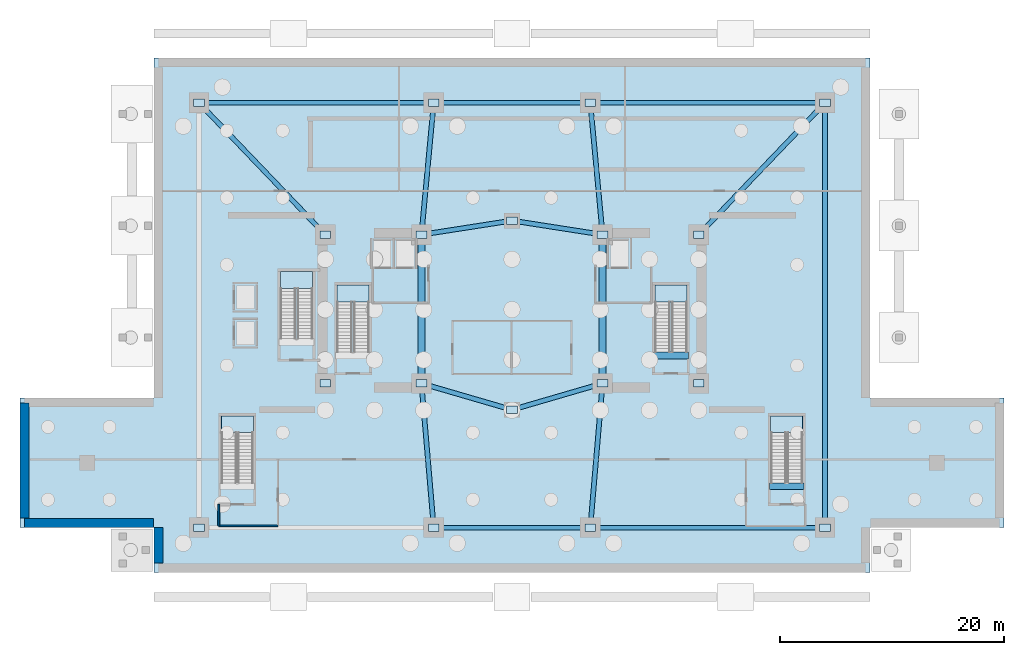
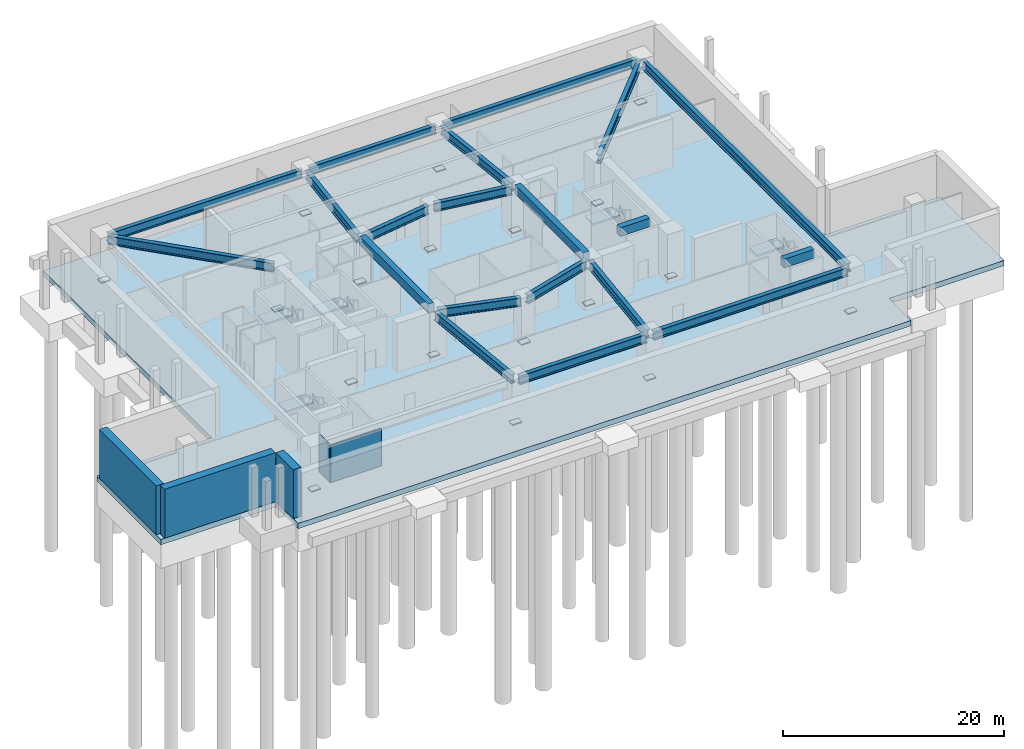
# One storey, part 2 of 9: 20 beams, 18 plates, 6 slabs, 5 walls, 5 elements without a shape of their own.
"""IFC4 building model written with IfcOpenShell, lengths in metres."""

from ifc_helpers import new_model, si_unit, direction, frame, frame_2d, origin, origin_2d, place, context, subcontext, project, spatial, polyline, rectangle, i_section, outline, extrude, material, layer, layer_set, material_profile, profile_set, type_object, element, aggregate, save


model = new_model("IFC4")

# Units and contexts
model_context = context("Model", 3, precision=1e-05, world=origin(), true_north=direction((0.0, 1.0)))
body_context = subcontext(model_context, "Body", "Model", "MODEL_VIEW")
ifc_project = project(units=[si_unit("LENGTHUNIT", "METRE"), si_unit("AREAUNIT", "SQUARE_METRE"), si_unit("VOLUMEUNIT", "CUBIC_METRE"), si_unit("PLANEANGLEUNIT", "RADIAN"), si_unit("MASSUNIT", "GRAM", prefix="KILO")], contexts=[model_context])

# Site, building, storey
site_placement = place(None, origin())
site = spatial("IfcSite", under=ifc_project, at=site_placement, CompositionType="ELEMENT")
building_placement = place(site_placement, origin())
building = spatial("IfcBuilding", under=site, at=building_placement, Name="Solvane Sanctuary Tower", CompositionType="ELEMENT")
storey_placement = place(building_placement, frame((0.0, 0.0, -10.800048828125)))
storey = spatial("IfcBuildingStorey", under=building, at=storey_placement, Name="B02", CompositionType="ELEMENT", Elevation=-10.800048828125)

# Beams
ifc_material_1 = material(Name="Concrete C70/85", Category="concrete")
ifc_material_profile_1 = material_profile(ifc_material_1, rectangle(XDim=0.60009765625, YDim=0.949951171875, at=origin_2d()), Name="RC600X950")
ifc_profile_set_1 = profile_set([ifc_material_profile_1], Name="Concrete C70/85")
beam_type_1 = type_object("IfcBeamType", Name="Beam B-COUPLE RC600X950", PredefinedType="LINTEL", material=ifc_profile_set_1)
for number, where, z_axis, x_axis, name in (
    (1, (23.89990234375, 17.35009765625, 4.925048828125), (0.0, 1.0, 0.0), (-1.0, 0.0, 0.0), "B02 West Core Coupling Lintel"),
    (2, (40.10009765625, 17.35009765625, 4.925048828125), (0.0, 1.0, 0.0), (-1.0, 0.0, 0.0), "B02 East Core Coupling Lintel"),
):
    element("IfcBeam", number, at=place(storey_placement, frame(where, z_axis=z_axis, x_axis=x_axis)), inside=storey, type_object=beam_type_1, Name=name, PredefinedType="LINTEL", context=body_context, shape_type="SweptSolid", body=[
        extrude(rectangle(XDim=0.60009765625, YDim=0.949951171875, at=origin_2d()), origin(), (0.0, 0.0, 1.0), 12.39990234375),
    ])
beam_1_placement = place(storey_placement, frame((44.64990234375, 19.399169921875, 4.925048828125), z_axis=(1.0, 0.0, 0.0), x_axis=(0.0, 1.0, 0.0)))
element("IfcBeam", 3, at=beam_1_placement, inside=storey, type_object=beam_type_1, Name="B02 ST-2 Stair Floor Landing Trimmer", PredefinedType="LINTEL", context=body_context, shape_type="SweptSolid", body=[
    extrude(rectangle(XDim=0.60009765625, YDim=0.949951171875, at=origin_2d()), origin(), (0.0, 0.0, 1.0), 3.1201171875),
])
beam_2_placement = place(storey_placement, frame((55.010009765625, 7.69921875, 4.925048828125), z_axis=(1.0, 0.0, 0.0), x_axis=(0.0, 1.0, 0.0)))
element("IfcBeam", 4, at=beam_2_placement, inside=storey, type_object=beam_type_1, Name="B02 ST-5 Stair Floor Landing Trimmer", PredefinedType="LINTEL", context=body_context, shape_type="SweptSolid", body=[
    extrude(rectangle(XDim=0.60009765625, YDim=0.949951171875, at=origin_2d()), origin(), (0.0, 0.0, 1.0), 3.119873046875),
])
ifc_material_2 = material(Name="Steel ASTM A913 Grade 65", Category="steel")
ifc_material_profile_2 = material_profile(ifc_material_2, i_section(OverallWidth=0.423095703125, OverallDepth=0.947998046875, WebThickness=0.02392578125, FlangeThickness=0.042724609375, FilletRadius=0.02392578125, at=origin_2d()), Name="W36X302")
ifc_profile_set_2 = profile_set([ifc_material_profile_2], Name="Steel ASTM A913 Grade 65")
beam_type_2 = type_object("IfcBeamType", Name="Beam B-POD-GIRD W36X302", PredefinedType="BEAM", material=ifc_profile_set_2)
beam_3_placement = place(storey_placement, frame((25.35009765625, 4.0, 4.60400390625), z_axis=(1.0, 0.0, 0.0), x_axis=(0.0, 1.0, 0.0)))
element("IfcBeam", 5, at=beam_3_placement, inside=storey, type_object=beam_type_2, Name="B02 Podium Primary Girder PG2", PredefinedType="BEAM", context=body_context, shape_type="SweptSolid", body=[
    extrude(i_section(OverallWidth=0.423095703125, OverallDepth=0.947998046875, WebThickness=0.02392578125, FlangeThickness=0.042724609375, FilletRadius=0.02392578125, at=origin_2d()), origin(), (0.0, 0.0, 1.0), 13.2998046875),
])
beam_4_placement = place(storey_placement, frame((39.35009765625, 4.0, 4.60400390625), z_axis=(1.0, 0.0, 0.0), x_axis=(0.0, 1.0, 0.0)))
element("IfcBeam", 6, at=beam_4_placement, inside=storey, type_object=beam_type_2, Name="B02 Podium Primary Girder PG3", PredefinedType="BEAM", context=body_context, shape_type="SweptSolid", body=[
    extrude(i_section(OverallWidth=0.423095703125, OverallDepth=0.947998046875, WebThickness=0.02392578125, FlangeThickness=0.042724609375, FilletRadius=0.02392578125, at=origin_2d()), origin(), (0.0, 0.0, 1.0), 20.2998046875),
])
beam_5_placement = place(storey_placement, frame((60.0, 4.35009765625, 4.60400390625), z_axis=(0.0, 1.0, 0.0), x_axis=(-1.0, 0.0, 0.0)))
element("IfcBeam", 7, at=beam_5_placement, inside=storey, type_object=beam_type_2, Name="B02 Podium Primary Girder PG4", PredefinedType="BEAM", context=body_context, shape_type="SweptSolid", body=[
    extrude(i_section(OverallWidth=0.423095703125, OverallDepth=0.947998046875, WebThickness=0.02392578125, FlangeThickness=0.042724609375, FilletRadius=0.02392578125, at=origin_2d()), origin(), (0.0, 0.0, 1.0), 37.2998046875),
])
beam_6_placement = place(storey_placement, frame((59.64990234375, 42.0, 4.60400390625), z_axis=(-1.0, 0.0, 0.0), x_axis=(0.0, -1.0, 0.0)))
element("IfcBeam", 8, at=beam_6_placement, inside=storey, type_object=beam_type_2, Name="B02 Podium Primary Girder PG5", PredefinedType="BEAM", context=body_context, shape_type="SweptSolid", body=[
    extrude(i_section(OverallWidth=0.423095703125, OverallDepth=0.947998046875, WebThickness=0.02392578125, FlangeThickness=0.042724609375, FilletRadius=0.02392578125, at=origin_2d()), origin(), (0.0, 0.0, 1.0), 20.2998046875),
])
beam_7_placement = place(storey_placement, frame((38.64990234375, 42.0, 4.60400390625), z_axis=(-1.0, 0.0, 0.0), x_axis=(0.0, -1.0, 0.0)))
element("IfcBeam", 9, at=beam_7_placement, inside=storey, type_object=beam_type_2, Name="B02 Podium Primary Girder PG6", PredefinedType="BEAM", context=body_context, shape_type="SweptSolid", body=[
    extrude(i_section(OverallWidth=0.423095703125, OverallDepth=0.947998046875, WebThickness=0.02392578125, FlangeThickness=0.042724609375, FilletRadius=0.02392578125, at=origin_2d()), origin(), (0.0, 0.0, 1.0), 13.2998046875),
])
beam_8_placement = place(storey_placement, frame((24.64990234375, 42.0, 4.60400390625), z_axis=(-1.0, 0.0, 0.0), x_axis=(0.0, -1.0, 0.0)))
element("IfcBeam", 10, at=beam_8_placement, inside=storey, type_object=beam_type_2, Name="B02 Podium Primary Girder PG7", PredefinedType="BEAM", context=body_context, shape_type="SweptSolid", body=[
    extrude(i_section(OverallWidth=0.423095703125, OverallDepth=0.947998046875, WebThickness=0.02392578125, FlangeThickness=0.042724609375, FilletRadius=0.02392578125, at=origin_2d()), origin(), (0.0, 0.0, 1.0), 20.2998046875),
])
for number, where, z_axis, x_axis, name in (
    (11, (24.97021484375, 4.3486328125, 4.60400390625), (-0.084962372295, 0.996384160499, 0.0), (-0.996384160499, -0.084962372295, 0.0), "B02 Podium Primary Girder PG9"),
    (12, (39.02978515625, 4.3486328125, 4.60400390625), (0.084962372295, 0.996384160499, 0.0), (-0.996384160499, 0.084962372295, 0.0), "B02 Podium Primary Girder PG10"),
):
    element("IfcBeam", number, at=place(storey_placement, frame(where, z_axis=z_axis, x_axis=x_axis)), inside=storey, type_object=beam_type_2, Name=name, PredefinedType="BEAM", context=body_context, shape_type="SweptSolid", body=[
        extrude(i_section(OverallWidth=0.423095703125, OverallDepth=0.947998046875, WebThickness=0.02392578125, FlangeThickness=0.042724609375, FilletRadius=0.02392578125, at=origin_2d()), origin(), (0.0, 0.0, 1.0), 12.246826171875),
    ])
for number, where, z_axis, x_axis, name in (
    (13, (24.967529296875, 41.651611328125, 4.60400390625), (-0.092807615301, -0.9956840596, 0.0), (0.9956840596, -0.092807615301, 0.0), "B02 Podium Primary Girder PG11"),
    (14, (39.032470703125, 41.651611328125, 4.60400390625), (0.092807615301, -0.9956840596, 0.0), (0.9956840596, 0.092807615301, 0.0), "B02 Podium Primary Girder PG12"),
):
    element("IfcBeam", number, at=place(storey_placement, frame(where, z_axis=z_axis, x_axis=x_axis)), inside=storey, type_object=beam_type_2, Name=name, PredefinedType="BEAM", context=body_context, shape_type="SweptSolid", body=[
        extrude(i_section(OverallWidth=0.423095703125, OverallDepth=0.947998046875, WebThickness=0.02392578125, FlangeThickness=0.042724609375, FilletRadius=0.02392578125, at=origin_2d()), origin(), (0.0, 0.0, 1.0), 11.151123046875),
    ])
for number, where, z_axis, x_axis, name in (
    (15, (4.2421875, 41.747314453125, 4.60400390625), (0.691633366234, -0.722248770654, 0.0), (0.722248770654, 0.691633366234, 0.0), "B02 Podium Primary Girder PG14"),
    (16, (59.7578125, 41.747314453125, 4.60400390625), (-0.691633366234, -0.722248770654, 0.0), (0.722248770654, -0.691633366234, 0.0), "B02 Podium Primary Girder PG16"),
):
    element("IfcBeam", number, at=place(storey_placement, frame(where, z_axis=z_axis, x_axis=x_axis)), inside=storey, type_object=beam_type_2, Name=name, PredefinedType="BEAM", context=body_context, shape_type="SweptSolid", body=[
        extrude(i_section(OverallWidth=0.423095703125, OverallDepth=0.947998046875, WebThickness=0.02392578125, FlangeThickness=0.042724609375, FilletRadius=0.02392578125, at=origin_2d()), origin(), (0.0, 0.0, 1.0), 15.637939453125),
    ])
for number, where, z_axis, x_axis, name in (
    (17, (24.236083984375, 16.802001953125, 4.60400390625), (0.960084424813, -0.279710380987, 0.0), (0.279710380987, 0.960084424813, 0.0), "B02 Podium Primary Girder PG17"),
    (18, (32.3359375, 14.637939453125, 4.60400390625), (0.960084424813, 0.279710380987, 0.0), (-0.279710380987, 0.960084424813, 0.0), "B02 Podium Primary Girder PG18"),
):
    element("IfcBeam", number, at=place(storey_placement, frame(where, z_axis=z_axis, x_axis=x_axis)), inside=storey, type_object=beam_type_2, Name=name, PredefinedType="BEAM", context=body_context, shape_type="SweptSolid", body=[
        extrude(i_section(OverallWidth=0.423095703125, OverallDepth=0.947998046875, WebThickness=0.02392578125, FlangeThickness=0.042724609375, FilletRadius=0.02392578125, at=origin_2d()), origin(), (0.0, 0.0, 1.0), 7.73681640625),
    ])
for number, where, z_axis, x_axis, name in (
    (19, (24.245849609375, 30.25390625, 4.60400390625), (0.988118117449, 0.153696408448, 0.0), (-0.153696408448, 0.988118117449, 0.0), "B02 Podium Primary Girder PG19"),
    (20, (32.345703125, 31.40625, 4.60400390625), (0.988118117449, -0.153696408448, 0.0), (0.153696408448, 0.988118117449, 0.0), "B02 Podium Primary Girder PG20"),
):
    element("IfcBeam", number, at=place(storey_placement, frame(where, z_axis=z_axis, x_axis=x_axis)), inside=storey, type_object=beam_type_2, Name=name, PredefinedType="BEAM", context=body_context, shape_type="SweptSolid", body=[
        extrude(i_section(OverallWidth=0.423095703125, OverallDepth=0.947998046875, WebThickness=0.02392578125, FlangeThickness=0.042724609375, FilletRadius=0.02392578125, at=origin_2d()), origin(), (0.0, 0.0, 1.0), 7.49755859375),
    ])

# Plates
ifc_material_3 = material(Name="Steel ASTM A572 Grade 50", Category="steel")
ifc_layer_1 = layer(ifc_material_3, 0.090087890625, Name="Steel ASTM A572 Grade 50")
ifc_layer_set_1 = layer_set([ifc_layer_1], Name="Steel ASTM A572 Grade 50")
plate_type = type_object("IfcPlateType", Name="Plate PL-BASE-900", PredefinedType="USERDEFINED", material=ifc_layer_set_1)
for number, where, z_axis, x_axis, name in (
    (21, (4.0, 4.0, 0.0), (0.0, 0.0, 1.0), (1.0, 0.0, 0.0), "B02 Column Base Plate MC1"),
    (22, (25.0, 4.0, 0.0), (0.0, 0.0, 1.0), (1.0, 0.0, 0.0), "B02 Column Base Plate MC2"),
    (23, (39.0, 4.0, 0.0), (0.0, 0.0, 1.0), (1.0, 0.0, 0.0), "B02 Column Base Plate MC3"),
    (24, (60.0, 4.0, 0.0), (0.0, 0.0, 1.0), (1.0, 0.0, 0.0), "B02 Column Base Plate MC4"),
    (25, (60.0, 42.0, 0.0), (0.0, 0.0, 1.0), (1.0, 0.0, 0.0), "B02 Column Base Plate MC5"),
    (26, (39.0, 42.0, 0.0), (0.0, 0.0, 1.0), (1.0, 0.0, 0.0), "B02 Column Base Plate MC6"),
    (27, (25.0, 42.0, 0.0), (0.0, 0.0, 1.0), (1.0, 0.0, 0.0), "B02 Column Base Plate MC7"),
    (28, (4.0, 42.0, 0.0), (0.0, 0.0, 1.0), (1.0, 0.0, 0.0), "B02 Column Base Plate MC8"),
    (29, (15.300048828125, 16.89990234375, 0.0), (0.0, 0.0, 1.0), (1.0, 0.0, 0.0), "B02 Column Base Plate CW1"),
    (30, (23.89990234375, 16.89990234375, 0.0), (0.0, 0.0, 1.0), (1.0, 0.0, 0.0), "B02 Column Base Plate CW2"),
    (31, (23.89990234375, 30.199951171875, 0.0), (0.0, 0.0, 1.0), (1.0, 0.0, 0.0), "B02 Column Base Plate CW3"),
    (32, (15.300048828125, 30.199951171875, 0.0), (0.0, 0.0, 1.0), (1.0, 0.0, 0.0), "B02 Column Base Plate CW4"),
    (33, (40.10009765625, 16.89990234375, 0.0), (0.0, 0.0, 1.0), (1.0, 0.0, 0.0), "B02 Column Base Plate CE1"),
    (34, (48.699951171875, 16.89990234375, 0.0), (0.0, 0.0, 1.0), (1.0, 0.0, 0.0), "B02 Column Base Plate CE2"),
    (35, (48.699951171875, 30.199951171875, 0.0), (0.0, 0.0, 1.0), (1.0, 0.0, 0.0), "B02 Column Base Plate CE3"),
    (36, (40.10009765625, 30.199951171875, 0.0), (0.0, 0.0, 1.0), (1.0, 0.0, 0.0), "B02 Column Base Plate CE4"),
    (37, (32.0, 14.5400390625, 0.0), (0.0, 0.0, 1.0), (1.0, 0.0, 0.0), "B02 Column Base Plate PCS"),
    (38, (32.0, 31.4599609375, 0.0), (0.0, 0.0, 1.0), (1.0, 0.0, 0.0), "B02 Column Base Plate PCN"),
):
    element("IfcPlate", number, at=place(storey_placement, frame(where, z_axis=z_axis, x_axis=x_axis)), inside=storey, type_object=plate_type, Name=name, ObjectType="BASE PLATE", PredefinedType="USERDEFINED", context=body_context, shape_type="SweptSolid", body=[
        extrude(rectangle(XDim=0.9599609375, YDim=0.679931640625, at=origin_2d()), origin(), (0.0, 0.0, 1.0), 0.090087890625),
    ])

# Slab
ifc_material_4 = material(Name="Concrete C50/60", Category="concrete")
ifc_layer_2 = layer(ifc_material_4, 0.60009765625, Name="Concrete C50/60")
ifc_layer_set_2 = layer_set([ifc_layer_2], Name="Concrete C50/60")
slab_type_1 = type_object("IfcSlabType", Name="Slab SL-BASE-600", PredefinedType="BASESLAB", material=ifc_layer_set_2)
slab_1_placement = place(storey_placement, frame((0.0, 0.0, -0.599853515625)))
element("IfcSlab", 39, at=slab_1_placement, inside=storey, type_object=slab_type_1, Name="B02 Primary Structural Slab", PredefinedType="BASESLAB", context=body_context, shape_type="SweptSolid", body=[
    extrude(outline(polyline([(0.0, 0.0), (64.0, 0.0), (64.0, 4.0), (76.0, 4.0), (76.0, 15.60009765625), (64.0, 15.60009765625), (64.0, 46.0), (0.0, 46.0), (0.0, 15.60009765625), (-12.0, 15.60009765625), (-12.0, 4.0), (0.0, 4.0), (0.0, 0.0)])), origin(), (0.0, 0.0, 1.0), 0.599853515625),
])

# Stair, slab
ifc_material_5 = material(Name="Concrete C45/55", Category="concrete")
stair_type_1 = type_object("IfcStairType", Name="Stair ST-TOW", PredefinedType="HALF_TURN_STAIR", material=ifc_material_5)
stair_1_placement = place(storey_placement, origin())
stair_1 = element("IfcStair", 40, at=stair_1_placement, inside=storey, type_object=stair_type_1, Name="B02 Exit Stair ST-1 West Core", PredefinedType="HALF_TURN_STAIR")
ifc_layer_3 = layer(ifc_material_5, 0.199951171875, Name="Concrete C45/55")
ifc_layer_set_3 = layer_set([ifc_layer_3], Name="Concrete C45/55")
slab_type_2 = type_object("IfcSlabType", Name="Slab SL-LAND-180", PredefinedType="LANDING", material=ifc_layer_set_3)
slab_2_placement = place(storey_placement, frame((0.0, 0.0, 2.5)))
slab_2 = element("IfcSlab", 41, at=slab_2_placement, type_object=slab_type_2, Name="ST-1 landing 1", PredefinedType="LANDING", context=body_context, shape_type="SweptSolid", body=[
    extrude(outline(polyline([(19.219970703125, 24.199951171875), (19.219970703125, 25.699951171875), (16.360107421875, 25.699951171875), (16.360107421875, 24.199951171875), (19.219970703125, 24.199951171875)])), origin(), (0.0, 0.0, 1.0), 0.199951171875),
])
aggregate(stair_1, [slab_2])

stair_2_placement = place(storey_placement, origin())
stair_2 = element("IfcStair", 42, at=stair_2_placement, inside=storey, type_object=stair_type_1, Name="B02 Exit Stair ST-2 East Core", PredefinedType="HALF_TURN_STAIR")
slab_3_placement = place(storey_placement, frame((0.0, 0.0, 2.5)))
slab_3 = element("IfcSlab", 43, at=slab_3_placement, type_object=slab_type_2, Name="ST-2 landing 1", PredefinedType="LANDING", context=body_context, shape_type="SweptSolid", body=[
    extrude(outline(polyline([(47.639892578125, 24.199951171875), (47.639892578125, 25.699951171875), (44.780029296875, 25.699951171875), (44.780029296875, 24.199951171875), (47.639892578125, 24.199951171875)])), origin(), (0.0, 0.0, 1.0), 0.199951171875),
])
aggregate(stair_2, [slab_3])

stair_3_placement = place(storey_placement, origin())
stair_3 = element("IfcStair", 44, at=stair_3_placement, inside=storey, type_object=stair_type_1, Name="B02 Exit Stair ST-3 Pilgrim Tower Stair", PredefinedType="HALF_TURN_STAIR")
slab_4_placement = place(storey_placement, frame((0.0, 0.0, 2.5)))
slab_4 = element("IfcSlab", 45, at=slab_4_placement, type_object=slab_type_2, Name="ST-3 landing 1", PredefinedType="LANDING", context=body_context, shape_type="SweptSolid", body=[
    extrude(outline(polyline([(14.159912109375, 25.39990234375), (14.159912109375, 26.89990234375), (11.300048828125, 26.89990234375), (11.300048828125, 25.39990234375), (14.159912109375, 25.39990234375)])), origin(), (0.0, 0.0, 1.0), 0.199951171875),
])
aggregate(stair_3, [slab_4])

stair_type_2 = type_object("IfcStairType", Name="Stair ST-POD", PredefinedType="HALF_TURN_STAIR", material=ifc_material_4)
stair_4_placement = place(storey_placement, origin())
stair_4 = element("IfcStair", 46, at=stair_4_placement, inside=storey, type_object=stair_type_2, Name="B02 Exit Stair ST-4 Metro West Stair", PredefinedType="HALF_TURN_STAIR")
slab_5_placement = place(storey_placement, frame((0.0, 0.0, 2.5)))
slab_5 = element("IfcSlab", 47, at=slab_5_placement, type_object=slab_type_2, Name="ST-4 landing 1", PredefinedType="LANDING", context=body_context, shape_type="SweptSolid", body=[
    extrude(outline(polyline([(8.860107421875, 12.5), (8.860107421875, 14.0), (6.0, 14.0), (6.0, 12.5), (8.860107421875, 12.5)])), origin(), (0.0, 0.0, 1.0), 0.199951171875),
])
aggregate(stair_4, [slab_5])

stair_type_3 = type_object("IfcStairType", Name="Stair ST-METRO", PredefinedType="HALF_TURN_STAIR", material=ifc_material_4)
stair_5_placement = place(storey_placement, origin())
stair_5 = element("IfcStair", 48, at=stair_5_placement, inside=storey, type_object=stair_type_3, Name="B02 Exit Stair ST-5 Metro East Stair", PredefinedType="HALF_TURN_STAIR")
slab_6_placement = place(storey_placement, frame((0.0, 0.0, 2.5)))
slab_6 = element("IfcSlab", 49, at=slab_6_placement, type_object=slab_type_2, Name="ST-5 landing 1", PredefinedType="LANDING", context=body_context, shape_type="SweptSolid", body=[
    extrude(outline(polyline([(58.0, 12.5), (58.0, 14.0), (55.139892578125, 14.0), (55.139892578125, 12.5), (58.0, 12.5)])), origin(), (0.0, 0.0, 1.0), 0.199951171875),
])
aggregate(stair_5, [slab_6])

# Walls
ifc_material_6 = material(Name="Acoustic Gypsum Partition Board")
ifc_layer_4 = layer(ifc_material_6, 0.14990234375, Name="Acoustic Gypsum Partition Board")
ifc_layer_set_4 = layer_set([ifc_layer_4], Name="Acoustic Gypsum Partition Board")
wall_type_1 = type_object("IfcWallType", Name="Wall W-CORR-150", PredefinedType="PARTITIONING", material=ifc_layer_set_4)
wall_1_placement = place(storey_placement, frame((5.780029296875, 4.159912109375, 0.0), z_axis=(0.0, 0.0, 1.0), x_axis=(1.0, 0.0, 0.0)))
element("IfcWall", 50, at=wall_1_placement, inside=storey, type_object=wall_type_1, Name="B02 ST-4 Vestibule South Wall", PredefinedType="PARTITIONING", context=body_context, shape_type="SweptSolid", body=[
    extrude(rectangle(XDim=5.280029296875, YDim=0.14990234375, at=frame_2d((2.64013671875, 0.0))), origin(), (0.0, 0.0, 1.0), 4.10009765625),
])
wall_2_placement = place(storey_placement, frame((5.780029296875, 4.159912109375, 0.0), z_axis=(0.0, 0.0, 1.0), x_axis=(0.0, 1.0, 0.0)))
element("IfcWall", 51, at=wall_2_placement, inside=storey, type_object=wall_type_1, Name="B02 ST-4 Vestibule West Wall", PredefinedType="PARTITIONING", context=body_context, shape_type="SweptSolid", body=[
    extrude(rectangle(XDim=1.920166015625, YDim=0.14990234375, at=frame_2d((0.9599609375, 0.0))), origin(), (0.0, 0.0, 1.0), 4.10009765625),
])
ifc_material_7 = material(Name="Concrete C60/75", Category="concrete")
ifc_layer_5 = layer(ifc_material_7, 0.800048828125, Name="Concrete C60/75")
ifc_layer_set_5 = layer_set([ifc_layer_5], Name="Concrete C60/75")
wall_type_2 = type_object("IfcWallType", Name="Wall W-RET-800", PredefinedType="USERDEFINED", material=ifc_layer_set_5)
wall_3_placement = place(storey_placement, frame((-11.60009765625, 15.14990234375, 0.0), z_axis=(0.0, 0.0, 1.0), x_axis=(0.0, -1.0, 0.0)))
element("IfcWall", 52, at=wall_3_placement, inside=storey, type_object=wall_type_2, Name="B02 Perimeter Retaining Wall MWW", ObjectType="RETAININGWALL", PredefinedType="USERDEFINED", context=body_context, shape_type="SweptSolid", body=[
    extrude(rectangle(XDim=10.2998046875, YDim=0.800048828125, at=frame_2d((5.14990234375, 0.0))), origin(), (0.0, 0.0, 1.0), 5.400146484375),
])
wall_4_placement = place(storey_placement, frame((-11.60009765625, 4.39990234375, 0.0), z_axis=(0.0, 0.0, 1.0), x_axis=(1.0, 0.0, 0.0)))
element("IfcWall", 53, at=wall_4_placement, inside=storey, type_object=wall_type_2, Name="B02 Perimeter Retaining Wall MWS", ObjectType="RETAININGWALL", PredefinedType="USERDEFINED", context=body_context, shape_type="SweptSolid", body=[
    extrude(rectangle(XDim=11.550048828125, YDim=0.800048828125, at=frame_2d((5.77490234375, 0.0))), origin(), (0.0, 0.0, 1.0), 5.400146484375),
])
wall_5_placement = place(storey_placement, frame((0.39990234375, 4.0, 0.0), z_axis=(0.0, 0.0, 1.0), x_axis=(0.0, -1.0, 0.0)))
element("IfcWall", 54, at=wall_5_placement, inside=storey, type_object=wall_type_2, Name="B02 Perimeter Retaining Wall WS1", ObjectType="RETAININGWALL", PredefinedType="USERDEFINED", context=body_context, shape_type="SweptSolid", body=[
    extrude(rectangle(XDim=3.14990234375, YDim=0.800048828125, at=frame_2d((1.574951171875, 0.0))), origin(), (0.0, 0.0, 1.0), 5.400146484375),
])

save(model, "model.ifc")
